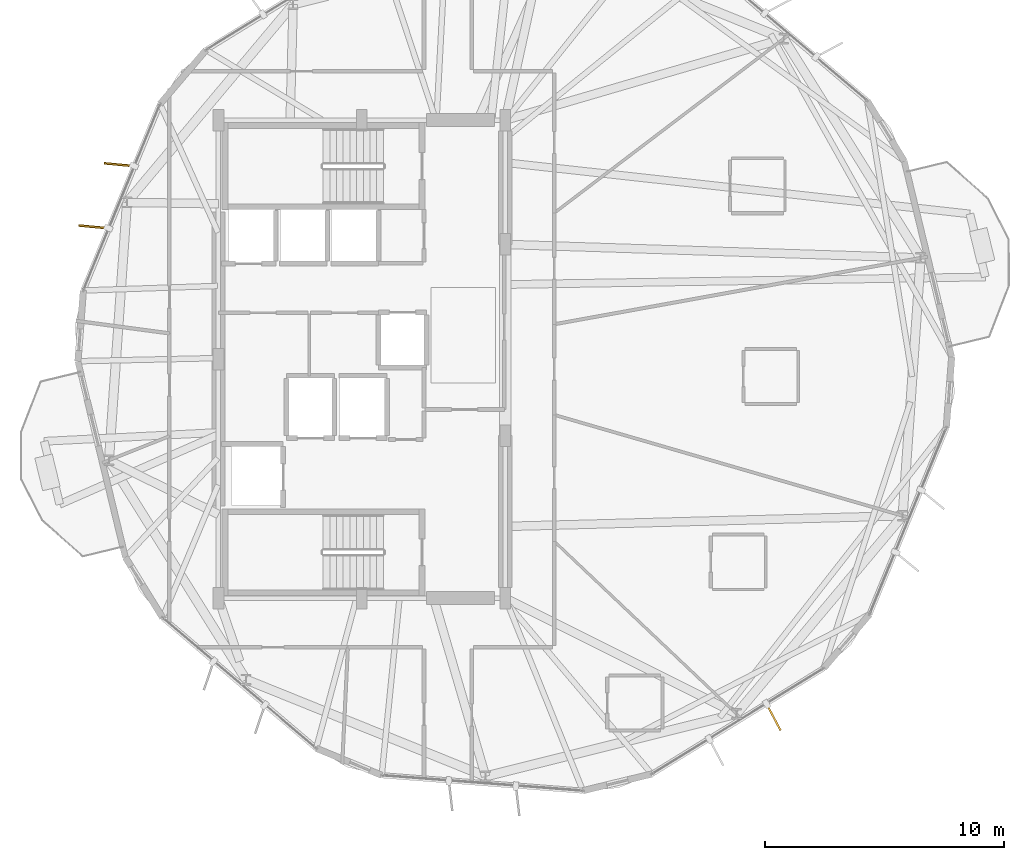
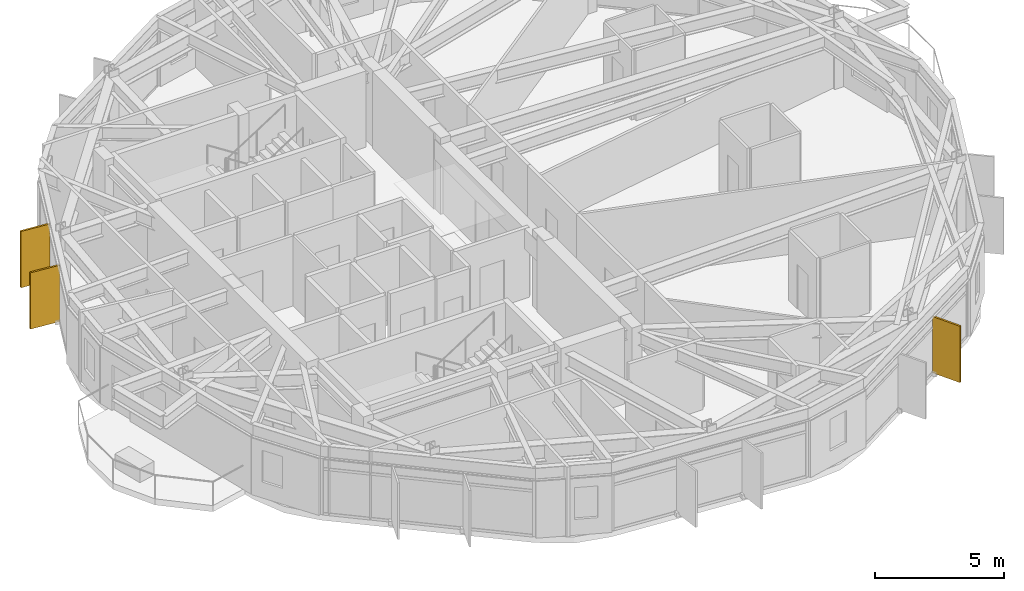
# One storey, part 19 of 21: 3 shading devices.
"""IFC4 building model written with IfcOpenShell, lengths in metres."""

from ifc_helpers import new_model, si_unit, direction, frame, origin, origin_2d, place, context, subcontext, project, spatial, rectangle, extrude, material, layer, layer_set, type_object, element, save


model = new_model("IFC4")

# Units and contexts
model_context = context("Model", 3, precision=1e-05, world=origin(), true_north=direction((0.0, 1.0)))
body_context = subcontext(model_context, "Body", "Model", "MODEL_VIEW")
ifc_project = project(units=[si_unit("LENGTHUNIT", "METRE"), si_unit("AREAUNIT", "SQUARE_METRE"), si_unit("VOLUMEUNIT", "CUBIC_METRE"), si_unit("PLANEANGLEUNIT", "RADIAN"), si_unit("MASSUNIT", "GRAM", prefix="KILO")], contexts=[model_context])

# Site, building, storey
site_placement = place(None, origin())
site = spatial("IfcSite", under=ifc_project, at=site_placement, CompositionType="ELEMENT")
building_placement = place(site_placement, origin())
building = spatial("IfcBuilding", under=site, at=building_placement, Name="Soratama Intermodal Tower", CompositionType="ELEMENT")
storey_placement = place(building_placement, frame((0.0, 0.0, 149.800048828125)))
storey = spatial("IfcBuildingStorey", under=building, at=storey_placement, Name="L36", CompositionType="ELEMENT", Elevation=149.800048828125)

# Shading devices
ifc_material = material(Name="Champagne anodised aluminium solar fin", Category="aluminium")
ifc_layer = layer(ifc_material, 0.080078125)
ifc_layer_set = layer_set([ifc_layer], Name="Champagne anodised aluminium solar fin")
shading_device_type = type_object("IfcShadingDeviceType", Name="SH-FIN-1250", PredefinedType="USERDEFINED", material=ifc_layer_set)
for number, where, z_axis, x_axis, name in (
    (1, (28.44482421875, 33.134521484375, 0.02001953125), (0.0, 0.0, 1.0), (-0.995545524441, 0.094282070226, 0.0), "L36 Solar Fin F04-1"),
    (2, (27.37353515625, 30.532958984375, 0.02001953125), (0.0, 0.0, 1.0), (-0.995545524441, 0.094282070226, 0.0), "L36 Solar Fin F04-2"),
    (3, (55.82568359375, 10.019775390625, 0.02001953125), (0.0, 0.0, 1.0), (0.467467011537, -0.884010516411, 0.0), "L36 Solar Fin F08-2"),
):
    element("IfcShadingDevice", number, at=place(storey_placement, frame(where, z_axis=z_axis, x_axis=x_axis)), inside=storey, type_object=shading_device_type, Name=name, ObjectType="FIN", PredefinedType="USERDEFINED", context=body_context, shape_type="SweptSolid", body=[
        extrude(rectangle(XDim=1.25, YDim=0.080078125, at=origin_2d()), origin(), (0.0, 0.0, 1.0), 2.658935546875),
    ])

save(model, "model.ifc")
